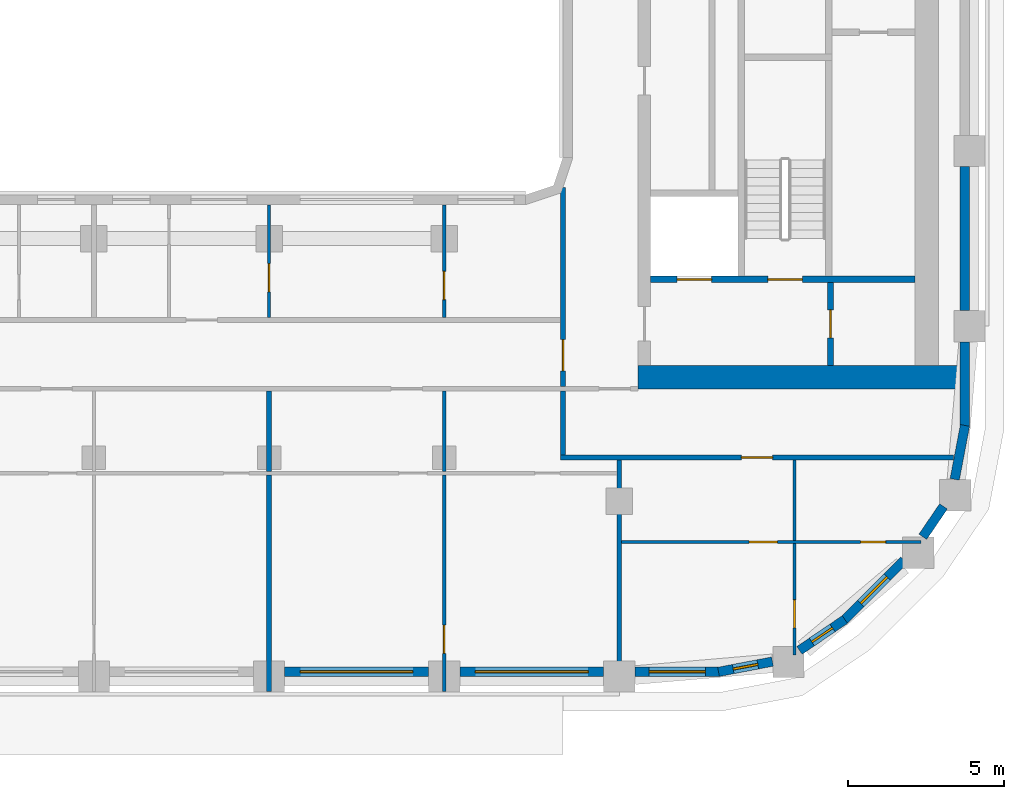
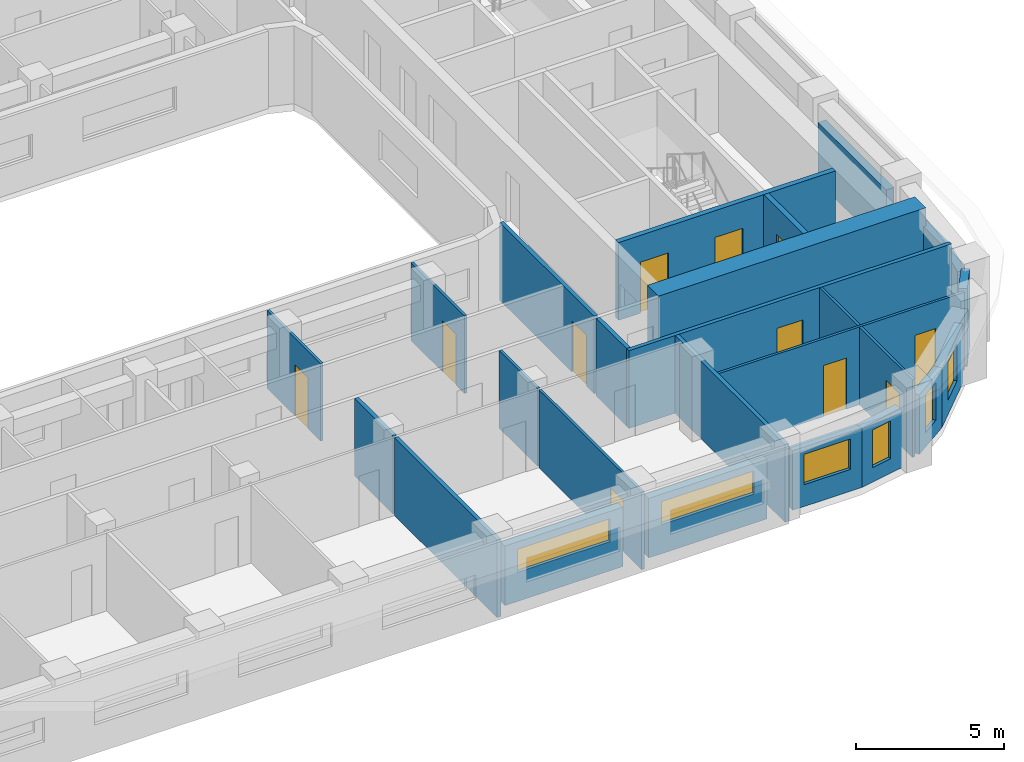
# One storey, part 5 of 22: 26 walls, 11 doors, 6 windows, 17 openings.
"""IFC4 building model written with IfcOpenShell, lengths in metres."""

from ifc_helpers import new_model, si_unit, direction, frame, frame_2d, origin, place, context, subcontext, project, spatial, rectangle, extrude, material, layer, layer_set, type_object, element, fill, save


model = new_model("IFC4")

# Units and contexts
model_context = context("Model", 3, precision=1e-05, world=origin(), true_north=direction((0.0, 1.0)))
body_context = subcontext(model_context, "Body", "Model", "MODEL_VIEW")
ifc_project = project(units=[si_unit("LENGTHUNIT", "METRE"), si_unit("AREAUNIT", "SQUARE_METRE"), si_unit("VOLUMEUNIT", "CUBIC_METRE"), si_unit("PLANEANGLEUNIT", "RADIAN"), si_unit("MASSUNIT", "GRAM", prefix="KILO")], contexts=[model_context])

# Site, building, storey
site_placement = place(None, origin())
site = spatial("IfcSite", under=ifc_project, at=site_placement, CompositionType="ELEMENT")
building_placement = place(site_placement, origin())
building = spatial("IfcBuilding", under=site, at=building_placement, Name="Kiln Ring Residences", CompositionType="ELEMENT")
storey_placement = place(building_placement, frame((0.0, 0.0, 167.60009765625)))
storey = spatial("IfcBuildingStorey", under=building, at=storey_placement, Name="L43", CompositionType="ELEMENT", Elevation=167.60009765625)

# Wall, opening, door
ifc_material_1 = material(Name="Gypsum board on steel studs", Category="steel")
ifc_layer_1 = layer(ifc_material_1, 0.199951171875)
ifc_layer_set_1 = layer_set([ifc_layer_1], Name="CORE-PARTITION-200")
wall_type_1 = type_object("IfcWallType", Name="CORE-PARTITION-200", PredefinedType="PARTITIONING", material=ifc_layer_set_1)
wall_1_placement = place(storey_placement, frame((23.550048828125, -12.449951171875, 0.0), z_axis=(0.0, 0.0, 1.0), x_axis=(0.0, 1.0, 0.0)))
wall_1 = element("IfcWall", 1, at=wall_1_placement, inside=storey, type_object=wall_type_1, Name="Core partition east L43 5", PredefinedType="PARTITIONING", context=body_context, shape_type="SweptSolid", body=[
    extrude(rectangle(XDim=2.64990234375, YDim=0.199951171875, at=frame_2d((1.324951171875, 0.0))), origin(), (0.0, 0.0, 1.0), 3.199951171875),
])
opening_1_placement = place(wall_1_placement, frame((0.875, 0.0, 0.0)))
opening_1 = element("IfcOpeningElement", 2, at=opening_1_placement, cuts=wall_1, Name="Opening L43-CE10", PredefinedType="OPENING", context=body_context, shape_type="SweptSolid", body=[
    extrude(rectangle(XDim=0.89990234375, YDim=2.10009765625, at=frame_2d((0.449951171875, 1.050048828125))), frame((0.0, 0.10986328125, 0.0), z_axis=(0.0, -1.0, 0.0), x_axis=(1.0, 0.0, 0.0)), (0.0, 0.0, 1.0), 0.219970703125),
])
ifc_material_2 = material(Name="Steel door leaf", Category="steel")
door_type_1 = type_object("IfcDoorType", Name="CORE-DOOR-ROOM", OperationType="SINGLE_SWING_LEFT", PredefinedType="DOOR", material=ifc_material_2)
door_1_placement = place(opening_1_placement, origin())
door_1 = element("IfcDoor", 3, at=door_1_placement, inside=storey, type_object=door_type_1, Name="Store L43-CE10", OperationType="SINGLE_SWING_LEFT", OverallHeight=2.10009765625, OverallWidth=0.89990234375, PredefinedType="DOOR", context=body_context, shape_type="SweptSolid", body=[
    extrude(rectangle(XDim=0.89990234375, YDim=2.10009765625, at=frame_2d((0.449951171875, 1.050048828125))), frame((0.0, 0.02490234375, 0.0), z_axis=(0.0, -1.0, 0.0), x_axis=(1.0, 0.0, 0.0)), (0.0, 0.0, 1.0), 0.050048828125),
])
fill(opening_1, door_1)

# Wall, openings, doors
ifc_material_3 = material(Name="Concrete C40/50", Category="concrete")
ifc_layer_2 = layer(ifc_material_3, 0.199951171875)
ifc_layer_set_2 = layer_set([ifc_layer_2], Name="CORE-WALL-RC200")
wall_type_2 = type_object("IfcWallType", Name="CORE-WALL-RC200", PredefinedType="SHEAR", material=ifc_layer_set_2)
wall_2_placement = place(storey_placement, frame((17.800048828125, -9.699951171875, 0.0), z_axis=(0.0, 0.0, 1.0), x_axis=(1.0, 0.0, 0.0)))
wall_2 = element("IfcWall", 4, at=wall_2_placement, inside=storey, type_object=wall_type_2, Name="Core wall east L43 8", PredefinedType="SHEAR", context=body_context, shape_type="SweptSolid", body=[
    extrude(rectangle(XDim=8.449951171875, YDim=0.199951171875, at=frame_2d((4.22509765625, 0.0))), origin(), (0.0, 0.0, 1.0), 3.199951171875),
])
opening_2_placement = place(wall_2_placement, frame((0.85009765625, 0.0, 0.0)))
opening_2 = element("IfcOpeningElement", 5, at=opening_2_placement, cuts=wall_2, Name="Opening L43-CE01", PredefinedType="OPENING", context=body_context, shape_type="SweptSolid", body=[
    extrude(rectangle(XDim=1.10009765625, YDim=2.10009765625, at=frame_2d((0.550048828125, 1.050048828125))), frame((0.0, 0.10986328125, 0.0), z_axis=(0.0, -1.0, 0.0), x_axis=(1.0, 0.0, 0.0)), (0.0, 0.0, 1.0), 0.219970703125),
])
opening_3_placement = place(wall_2_placement, frame((3.75, 0.0, 0.0)))
opening_3 = element("IfcOpeningElement", 6, at=opening_3_placement, cuts=wall_2, Name="Opening L43-CE12", PredefinedType="OPENING", context=body_context, shape_type="SweptSolid", body=[
    extrude(rectangle(XDim=1.10009765625, YDim=2.10009765625, at=frame_2d((0.550048828125, 1.050048828125))), frame((0.0, 0.10986328125, 0.0), z_axis=(0.0, -1.0, 0.0), x_axis=(1.0, 0.0, 0.0)), (0.0, 0.0, 1.0), 0.219970703125),
])
ifc_material_4 = material(Name="Steel door leaf", Category="steel")
door_type_2 = type_object("IfcDoorType", Name="CORE-DOOR-LD", OperationType="DOUBLE_DOOR_SLIDING", PredefinedType="DOOR", material=ifc_material_4)
door_2_placement = place(opening_2_placement, origin())
door_2 = element("IfcDoor", 7, at=door_2_placement, inside=storey, type_object=door_type_2, Name="LD E-SV L43-CE01", OperationType="DOUBLE_DOOR_SLIDING", OverallHeight=2.10009765625, OverallWidth=1.10009765625, PredefinedType="DOOR", context=body_context, shape_type="SweptSolid", body=[
    extrude(rectangle(XDim=1.10009765625, YDim=2.10009765625, at=frame_2d((0.550048828125, 1.050048828125))), frame((0.0, 0.02490234375, 0.0), z_axis=(0.0, -1.0, 0.0), x_axis=(1.0, 0.0, 0.0)), (0.0, 0.0, 1.0), 0.050048828125),
])
fill(opening_2, door_2)
ifc_material_5 = material(Name="Steel door leaf", Category="steel")
door_type_3 = type_object("IfcDoorType", Name="CORE-DOOR-STAIR", OperationType="SINGLE_SWING_LEFT", PredefinedType="DOOR", material=ifc_material_5)
door_3_placement = place(opening_3_placement, origin())
door_3 = element("IfcDoor", 8, at=door_3_placement, inside=storey, type_object=door_type_3, Name="Stair E-STS L43-CE12", OperationType="SINGLE_SWING_RIGHT", OverallHeight=2.10009765625, OverallWidth=1.10009765625, PredefinedType="DOOR", context=body_context, shape_type="SweptSolid", body=[
    extrude(rectangle(XDim=1.10009765625, YDim=2.10009765625, at=frame_2d((0.550048828125, 1.050048828125))), frame((0.0, 0.02490234375, 0.0), z_axis=(0.0, -1.0, 0.0), x_axis=(1.0, 0.0, 0.0)), (0.0, 0.0, 1.0), 0.050048828125),
])
fill(opening_3, door_3)

# Wall
ifc_material_6 = material(Name="Concrete C60/75", Category="concrete")
ifc_layer_3 = layer(ifc_material_6, 0.75)
ifc_layer_set_3 = layer_set([ifc_layer_3], Name="CORE-WALL-RC750")
wall_type_3 = type_object("IfcWallType", Name="CORE-WALL-RC750", PredefinedType="SHEAR", material=ifc_layer_set_3)
wall_3_placement = place(storey_placement, frame((17.39990234375, -12.824951171875, 0.0), z_axis=(0.0, 0.0, 1.0), x_axis=(1.0, 0.0, 0.0)))
element("IfcWall", 9, at=wall_3_placement, inside=storey, type_object=wall_type_3, Name="Core wall east L43 5", PredefinedType="SHEAR", context=body_context, shape_type="SweptSolid", body=[
    extrude(rectangle(XDim=10.400146484375, YDim=0.75, at=frame_2d((5.2001953125, 0.0))), origin(), (0.0, 0.0, 1.0), 3.199951171875),
])

# Wall, opening, window
ifc_material_7 = material(Name="Brick masonry, dark clay brick", Category="masonry")
ifc_layer_4 = layer(ifc_material_7, 0.300048828125)
ifc_layer_set_4 = layer_set([ifc_layer_4], Name="EW-300 BRICK WALL")
wall_type_4 = type_object("IfcWallType", Name="EW-300 BRICK WALL", PredefinedType="SOLIDWALL", material=ifc_layer_set_4)
wall_4_placement = place(storey_placement, frame((6.10009765625, -22.25, 0.0), z_axis=(0.0, 0.0, 1.0), x_axis=(1.0, 0.0, 0.0)))
wall_4 = element("IfcWall", 10, at=wall_4_placement, inside=storey, type_object=wall_type_4, Name="Facade wall L43 9", PredefinedType="SOLIDWALL", context=body_context, shape_type="SweptSolid", body=[
    extrude(rectangle(XDim=4.599853515625, YDim=0.300048828125, at=frame_2d((2.2998046875, 0.0))), origin(), (0.0, 0.0, 1.0), 2.449951171875),
])
opening_4_placement = place(wall_4_placement, frame((0.5, 0.0, 1.199951171875)))
opening_4 = element("IfcOpeningElement", 11, at=opening_4_placement, cuts=wall_4, Name="Opening W4", PredefinedType="OPENING", context=body_context, shape_type="SweptSolid", body=[
    extrude(rectangle(XDim=3.60009765625, YDim=0.949951171875, at=frame_2d((1.800048828125, 0.47509765625))), frame((0.0, 0.159912109375, 0.0), z_axis=(0.0, -1.0, 0.0), x_axis=(1.0, 0.0, 0.0)), (0.0, 0.0, 1.0), 0.320068359375),
])
ifc_material_8 = material(Name="Aluminium frame with double glazing", Category="aluminium")
window_type_1 = type_object("IfcWindowType", Name="WINDOW 3600 x 950", PartitioningType="SINGLE_PANEL", PredefinedType="WINDOW", material=ifc_material_8)
window_1_placement = place(opening_4_placement, origin())
window_1 = element("IfcWindow", 12, at=window_1_placement, inside=storey, type_object=window_type_1, Name="Window L43 8", OverallHeight=0.949951171875, OverallWidth=3.60009765625, PartitioningType="SINGLE_PANEL", PredefinedType="WINDOW", context=body_context, shape_type="SweptSolid", body=[
    extrude(rectangle(XDim=3.60009765625, YDim=0.949951171875, at=frame_2d((1.800048828125, 0.47509765625))), frame((0.0, 0.030029296875, 0.0), z_axis=(0.0, -1.0, 0.0), x_axis=(1.0, 0.0, 0.0)), (0.0, 0.0, 1.0), 0.06005859375),
])
fill(opening_4, window_1)

wall_5_placement = place(storey_placement, frame((11.699951171875, -22.25, 0.0), z_axis=(0.0, 0.0, 1.0), x_axis=(1.0, 0.0, 0.0)))
wall_5 = element("IfcWall", 13, at=wall_5_placement, inside=storey, type_object=wall_type_4, Name="Facade wall L43 10", PredefinedType="SOLIDWALL", context=body_context, shape_type="SweptSolid", body=[
    extrude(rectangle(XDim=4.60009765625, YDim=0.300048828125, at=frame_2d((2.300048828125, 0.0))), origin(), (0.0, 0.0, 1.0), 2.449951171875),
])
opening_5_placement = place(wall_5_placement, frame((0.5, 0.0, 1.199951171875)))
opening_5 = element("IfcOpeningElement", 14, at=opening_5_placement, cuts=wall_5, Name="Opening W4", PredefinedType="OPENING", context=body_context, shape_type="SweptSolid", body=[
    extrude(rectangle(XDim=3.60009765625, YDim=0.949951171875, at=frame_2d((1.800048828125, 0.47509765625))), frame((0.0, 0.159912109375, 0.0), z_axis=(0.0, -1.0, 0.0), x_axis=(1.0, 0.0, 0.0)), (0.0, 0.0, 1.0), 0.320068359375),
])
window_2_placement = place(opening_5_placement, origin())
window_2 = element("IfcWindow", 15, at=window_2_placement, inside=storey, type_object=window_type_1, Name="Window L43 9", OverallHeight=0.949951171875, OverallWidth=3.60009765625, PartitioningType="SINGLE_PANEL", PredefinedType="WINDOW", context=body_context, shape_type="SweptSolid", body=[
    extrude(rectangle(XDim=3.60009765625, YDim=0.949951171875, at=frame_2d((1.800048828125, 0.47509765625))), frame((0.0, 0.030029296875, 0.0), z_axis=(0.0, -1.0, 0.0), x_axis=(1.0, 0.0, 0.0)), (0.0, 0.0, 1.0), 0.06005859375),
])
fill(opening_5, window_2)

wall_6_placement = place(storey_placement, frame((17.300048828125, -22.25, 0.0), z_axis=(0.0, 0.0, 1.0), x_axis=(1.0, 0.0, 0.0)))
wall_6 = element("IfcWall", 16, at=wall_6_placement, inside=storey, type_object=wall_type_4, Name="Facade wall L43 11", PredefinedType="SOLIDWALL", context=body_context, shape_type="SweptSolid", body=[
    extrude(rectangle(XDim=2.699951171875, YDim=0.300048828125, at=frame_2d((1.35009765625, 0.0))), origin(), (0.0, 0.0, 1.0), 2.449951171875),
])
opening_6_placement = place(wall_6_placement, frame((0.449951171875, 0.0, 0.89990234375)))
opening_6 = element("IfcOpeningElement", 17, at=opening_6_placement, cuts=wall_6, Name="Opening W2", PredefinedType="OPENING", context=body_context, shape_type="SweptSolid", body=[
    extrude(rectangle(XDim=1.800048828125, YDim=1.25, at=frame_2d((0.89990234375, 0.625))), frame((0.0, 0.159912109375, 0.0), z_axis=(0.0, -1.0, 0.0), x_axis=(1.0, 0.0, 0.0)), (0.0, 0.0, 1.0), 0.320068359375),
])
ifc_material_9 = material(Name="Aluminium frame with double glazing", Category="aluminium")
window_type_2 = type_object("IfcWindowType", Name="WINDOW 1800 x 1250", PartitioningType="SINGLE_PANEL", PredefinedType="WINDOW", material=ifc_material_9)
window_3_placement = place(opening_6_placement, origin())
window_3 = element("IfcWindow", 18, at=window_3_placement, inside=storey, type_object=window_type_2, Name="Window L43 10", OverallHeight=1.25, OverallWidth=1.800048828125, PartitioningType="SINGLE_PANEL", PredefinedType="WINDOW", context=body_context, shape_type="SweptSolid", body=[
    extrude(rectangle(XDim=1.800048828125, YDim=1.25, at=frame_2d((0.89990234375, 0.625))), frame((0.0, 0.030029296875, 0.0), z_axis=(0.0, -1.0, 0.0), x_axis=(1.0, 0.0, 0.0)), (0.0, 0.0, 1.0), 0.06005859375),
])
fill(opening_6, window_3)

wall_7_placement = place(storey_placement, frame((19.971923828125, -22.252685546875, 0.0), z_axis=(0.0, 0.0, 1.0), x_axis=(0.982284988433, 0.187393173565, 0.0)))
wall_7 = element("IfcWall", 19, at=wall_7_placement, inside=storey, type_object=wall_type_4, Name="Facade wall L43 12", PredefinedType="SOLIDWALL", context=body_context, shape_type="SweptSolid", body=[
    extrude(rectangle(XDim=1.756103515625, YDim=0.300048828125, at=frame_2d((0.8779296875, 0.0))), origin(), (0.0, 0.0, 1.0), 2.449951171875),
])
opening_7_placement = place(wall_7_placement, frame((0.47802734375, 0.0, 0.60009765625)))
opening_7 = element("IfcOpeningElement", 20, at=opening_7_placement, cuts=wall_7, Name="Opening W5", PredefinedType="OPENING", context=body_context, shape_type="SweptSolid", body=[
    extrude(rectangle(XDim=0.800048828125, YDim=1.550048828125, at=frame_2d((0.39990234375, 0.77490234375))), frame((0.0, 0.159912109375, 0.0), z_axis=(0.0, -1.0, 0.0), x_axis=(1.0, 0.0, 0.0)), (0.0, 0.0, 1.0), 0.320068359375),
])
ifc_material_10 = material(Name="Aluminium frame with double glazing", Category="aluminium")
window_type_3 = type_object("IfcWindowType", Name="WINDOW 800 x 1550", PartitioningType="SINGLE_PANEL", PredefinedType="WINDOW", material=ifc_material_10)
window_4_placement = place(opening_7_placement, origin())
window_4 = element("IfcWindow", 21, at=window_4_placement, inside=storey, type_object=window_type_3, Name="Window L43 11", OverallHeight=1.550048828125, OverallWidth=0.800048828125, PartitioningType="SINGLE_PANEL", PredefinedType="WINDOW", context=body_context, shape_type="SweptSolid", body=[
    extrude(rectangle(XDim=0.800048828125, YDim=1.550048828125, at=frame_2d((0.39990234375, 0.77490234375))), frame((0.0, 0.030029296875, 0.0), z_axis=(0.0, -1.0, 0.0), x_axis=(1.0, 0.0, 0.0)), (0.0, 0.0, 1.0), 0.06005859375),
])
fill(opening_7, window_4)

wall_8_placement = place(storey_placement, frame((22.560302734375, -21.56591796875, 0.0), z_axis=(0.0, 0.0, 1.0), x_axis=(0.82707645233, 0.562089443061, 0.0)))
wall_8 = element("IfcWall", 22, at=wall_8_placement, inside=storey, type_object=wall_type_4, Name="Facade wall L43 13", PredefinedType="SOLIDWALL", context=body_context, shape_type="SweptSolid", body=[
    extrude(rectangle(XDim=1.756103515625, YDim=0.300048828125, at=frame_2d((0.8779296875, 0.0))), origin(), (0.0, 0.0, 1.0), 2.449951171875),
])
opening_8_placement = place(wall_8_placement, frame((0.47802734375, 0.0, 0.60009765625)))
opening_8 = element("IfcOpeningElement", 23, at=opening_8_placement, cuts=wall_8, Name="Opening W5", PredefinedType="OPENING", context=body_context, shape_type="SweptSolid", body=[
    extrude(rectangle(XDim=0.800048828125, YDim=1.550048828125, at=frame_2d((0.39990234375, 0.77490234375))), frame((0.0, 0.159912109375, 0.0), z_axis=(0.0, -1.0, 0.0), x_axis=(1.0, 0.0, 0.0)), (0.0, 0.0, 1.0), 0.320068359375),
])
window_5_placement = place(opening_8_placement, origin())
window_5 = element("IfcWindow", 24, at=window_5_placement, inside=storey, type_object=window_type_3, Name="Window L43 12", OverallHeight=1.550048828125, OverallWidth=0.800048828125, PartitioningType="SINGLE_PANEL", PredefinedType="WINDOW", context=body_context, shape_type="SweptSolid", body=[
    extrude(rectangle(XDim=0.800048828125, YDim=1.550048828125, at=frame_2d((0.39990234375, 0.77490234375))), frame((0.0, 0.030029296875, 0.0), z_axis=(0.0, -1.0, 0.0), x_axis=(1.0, 0.0, 0.0)), (0.0, 0.0, 1.0), 0.06005859375),
])
fill(opening_8, window_5)

wall_9_placement = place(storey_placement, frame((23.990966796875, -20.596923828125, 0.0), z_axis=(0.0, 0.0, 1.0), x_axis=(0.707106781187, 0.707106781187, 0.0)))
wall_9 = element("IfcWall", 25, at=wall_9_placement, inside=storey, type_object=wall_type_4, Name="Facade wall L43 14", PredefinedType="SOLIDWALL", context=body_context, shape_type="SweptSolid", body=[
    extrude(rectangle(XDim=2.699951171875, YDim=0.300048828125, at=frame_2d((1.35009765625, 0.0))), origin(), (0.0, 0.0, 1.0), 2.449951171875),
])
opening_9_placement = place(wall_9_placement, frame((0.75, 0.0, 0.60009765625)))
opening_9 = element("IfcOpeningElement", 26, at=opening_9_placement, cuts=wall_9, Name="Opening W1", PredefinedType="OPENING", context=body_context, shape_type="SweptSolid", body=[
    extrude(rectangle(XDim=1.199951171875, YDim=1.550048828125, at=frame_2d((0.60009765625, 0.77490234375))), frame((0.0, 0.159912109375, 0.0), z_axis=(0.0, -1.0, 0.0), x_axis=(1.0, 0.0, 0.0)), (0.0, 0.0, 1.0), 0.320068359375),
])
ifc_material_11 = material(Name="Aluminium frame with double glazing", Category="aluminium")
window_type_4 = type_object("IfcWindowType", Name="WINDOW 1200 x 1550", PartitioningType="SINGLE_PANEL", PredefinedType="WINDOW", material=ifc_material_11)
window_6_placement = place(opening_9_placement, origin())
window_6 = element("IfcWindow", 27, at=window_6_placement, inside=storey, type_object=window_type_4, Name="Window L43 13", OverallHeight=1.550048828125, OverallWidth=1.199951171875, PartitioningType="SINGLE_PANEL", PredefinedType="WINDOW", context=body_context, shape_type="SweptSolid", body=[
    extrude(rectangle(XDim=1.199951171875, YDim=1.550048828125, at=frame_2d((0.60009765625, 0.77490234375))), frame((0.0, 0.030029296875, 0.0), z_axis=(0.0, -1.0, 0.0), x_axis=(1.0, 0.0, 0.0)), (0.0, 0.0, 1.0), 0.06005859375),
])
fill(opening_9, window_6)

# Walls
wall_10_placement = place(storey_placement, frame((26.50439453125, -17.933837890625, 0.0), z_axis=(0.0, 0.0, 1.0), x_axis=(0.562145470373, 0.827038372833, 0.0)))
element("IfcWall", 28, at=wall_10_placement, inside=storey, type_object=wall_type_4, Name="Facade wall L43 15", PredefinedType="SOLIDWALL", context=body_context, shape_type="SweptSolid", body=[
    extrude(rectangle(XDim=1.177001953125, YDim=0.300048828125, at=frame_2d((0.58837890625, 0.0))), origin(), (0.0, 0.0, 1.0), 3.199951171875),
])
wall_11_placement = place(storey_placement, frame((27.523681640625, -16.096923828125, 0.0), z_axis=(0.0, 0.0, 1.0), x_axis=(0.187259034321, 0.982310569049, 0.0)))
element("IfcWall", 29, at=wall_11_placement, inside=storey, type_object=wall_type_4, Name="Facade wall L43 16", PredefinedType="SOLIDWALL", context=body_context, shape_type="SweptSolid", body=[
    extrude(rectangle(XDim=1.756103515625, YDim=0.300048828125, at=frame_2d((0.8779296875, 0.0))), origin(), (0.0, 0.0, 1.0), 2.449951171875),
])
wall_12_placement = place(storey_placement, frame((27.85009765625, -14.39990234375, 0.0), z_axis=(0.0, 0.0, 1.0), x_axis=(0.0, 1.0, 0.0)))
element("IfcWall", 30, at=wall_12_placement, inside=storey, type_object=wall_type_4, Name="Facade wall L43 17", PredefinedType="SOLIDWALL", context=body_context, shape_type="SweptSolid", body=[
    extrude(rectangle(XDim=2.699951171875, YDim=0.300048828125, at=frame_2d((1.35009765625, 0.0))), origin(), (0.0, 0.0, 1.0), 2.449951171875),
])
wall_13_placement = place(storey_placement, frame((27.85009765625, -10.699951171875, 0.0), z_axis=(0.0, 0.0, 1.0), x_axis=(0.0, 1.0, 0.0)))
element("IfcWall", 31, at=wall_13_placement, inside=storey, type_object=wall_type_4, Name="Facade wall L43 18", PredefinedType="SOLIDWALL", context=body_context, shape_type="SweptSolid", body=[
    extrude(rectangle(XDim=4.599853515625, YDim=0.300048828125, at=frame_2d((2.2998046875, 0.0))), origin(), (0.0, 0.0, 1.0), 2.449951171875),
])

# Wall, openings, doors
ifc_material_12 = material(Name="Gypsum board on steel studs", Category="steel")
ifc_layer_5 = layer(ifc_material_12, 0.10009765625)
ifc_layer_set_5 = layer_set([ifc_layer_5], Name="PARTITION-100")
wall_type_5 = type_object("IfcWallType", Name="PARTITION-100", PredefinedType="PARTITIONING", material=ifc_layer_set_5)
wall_14_placement = place(storey_placement, frame((16.875, -18.10009765625, 0.0), z_axis=(0.0, 0.0, 1.0), x_axis=(1.0, 0.0, 0.0)))
wall_14 = element("IfcWall", 32, at=wall_14_placement, inside=storey, type_object=wall_type_5, Name="Partition 000", PredefinedType="PARTITIONING", context=body_context, shape_type="SweptSolid", body=[
    extrude(rectangle(XDim=9.56494140625, YDim=0.10009765625, at=frame_2d((4.782470703125, 0.0))), origin(), (0.0, 0.0, 1.0), 3.199951171875),
])
opening_10_placement = place(wall_14_placement, frame((7.638916015625, 0.0, 0.0)))
opening_10 = element("IfcOpeningElement", 33, at=opening_10_placement, cuts=wall_14, Name="Opening L43-D065", PredefinedType="OPENING", context=body_context, shape_type="SweptSolid", body=[
    extrude(rectangle(XDim=0.800048828125, YDim=2.10009765625, at=frame_2d((0.39990234375, 1.050048828125))), frame((0.0, 0.06005859375, 0.0), z_axis=(0.0, -1.0, 0.0), x_axis=(1.0, 0.0, 0.0)), (0.0, 0.0, 1.0), 0.1201171875),
])
opening_11_placement = place(wall_14_placement, frame((4.074951171875, 0.0, 0.0)))
opening_11 = element("IfcOpeningElement", 34, at=opening_11_placement, cuts=wall_14, Name="Opening L43-D066", PredefinedType="OPENING", context=body_context, shape_type="SweptSolid", body=[
    extrude(rectangle(XDim=0.89990234375, YDim=2.10009765625, at=frame_2d((0.449951171875, 1.050048828125))), frame((0.0, 0.06005859375, 0.0), z_axis=(0.0, -1.0, 0.0), x_axis=(1.0, 0.0, 0.0)), (0.0, 0.0, 1.0), 0.1201171875),
])
ifc_material_13 = material(Name="Timber door leaf", Category="wood")
door_type_4 = type_object("IfcDoorType", Name="FLAT-DOOR-800-PL", OperationType="SINGLE_SWING_LEFT", PredefinedType="DOOR", material=ifc_material_13)
door_4_placement = place(opening_10_placement, origin())
door_4 = element("IfcDoor", 35, at=door_4_placement, inside=storey, type_object=door_type_4, Name="Door L43-D065", OperationType="SINGLE_SWING_LEFT", OverallHeight=2.10009765625, OverallWidth=0.800048828125, PredefinedType="DOOR", context=body_context, shape_type="SweptSolid", body=[
    extrude(rectangle(XDim=0.800048828125, YDim=2.10009765625, at=frame_2d((0.39990234375, 1.050048828125))), frame((0.0, 0.02490234375, 0.0), z_axis=(0.0, -1.0, 0.0), x_axis=(1.0, 0.0, 0.0)), (0.0, 0.0, 1.0), 0.050048828125),
])
fill(opening_10, door_4)
ifc_material_14 = material(Name="Timber door leaf", Category="wood")
door_type_5 = type_object("IfcDoorType", Name="FLAT-DOOR-900-PL", OperationType="SINGLE_SWING_LEFT", PredefinedType="DOOR", material=ifc_material_14)
door_5_placement = place(opening_11_placement, origin())
door_5 = element("IfcDoor", 36, at=door_5_placement, inside=storey, type_object=door_type_5, Name="Door L43-D066", OperationType="SINGLE_SWING_RIGHT", OverallHeight=2.10009765625, OverallWidth=0.89990234375, PredefinedType="DOOR", context=body_context, shape_type="SweptSolid", body=[
    extrude(rectangle(XDim=0.89990234375, YDim=2.10009765625, at=frame_2d((0.449951171875, 1.050048828125))), frame((0.0, 0.02490234375, 0.0), z_axis=(0.0, -1.0, 0.0), x_axis=(1.0, 0.0, 0.0)), (0.0, 0.0, 1.0), 0.050048828125),
])
fill(opening_11, door_5)

# Wall, opening, door
wall_15_placement = place(storey_placement, frame((5.60009765625, -10.925048828125, 0.0), z_axis=(0.0, 0.0, 1.0), x_axis=(0.0, 1.0, 0.0)))
wall_15 = element("IfcWall", 37, at=wall_15_placement, inside=storey, type_object=wall_type_5, Name="Partition 049", PredefinedType="PARTITIONING", context=body_context, shape_type="SweptSolid", body=[
    extrude(rectangle(XDim=3.60498046875, YDim=0.10009765625, at=frame_2d((1.802490234375, 0.0))), origin(), (0.0, 0.0, 1.0), 3.199951171875),
])
opening_12_placement = place(wall_15_placement, frame((0.825927734375, 0.0, 0.0)))
opening_12 = element("IfcOpeningElement", 38, at=opening_12_placement, cuts=wall_15, Name="Opening L43-D050", PredefinedType="OPENING", context=body_context, shape_type="SweptSolid", body=[
    extrude(rectangle(XDim=0.89990234375, YDim=2.10009765625, at=frame_2d((0.449951171875, 1.050048828125))), frame((0.0, 0.06005859375, 0.0), z_axis=(0.0, -1.0, 0.0), x_axis=(1.0, 0.0, 0.0)), (0.0, 0.0, 1.0), 0.1201171875),
])
door_6_placement = place(opening_12_placement, origin())
door_6 = element("IfcDoor", 39, at=door_6_placement, inside=storey, type_object=door_type_5, Name="Door L43-D050", OperationType="SINGLE_SWING_LEFT", OverallHeight=2.10009765625, OverallWidth=0.89990234375, PredefinedType="DOOR", context=body_context, shape_type="SweptSolid", body=[
    extrude(rectangle(XDim=0.89990234375, YDim=2.10009765625, at=frame_2d((0.449951171875, 1.050048828125))), frame((0.0, 0.02490234375, 0.0), z_axis=(0.0, -1.0, 0.0), x_axis=(1.0, 0.0, 0.0)), (0.0, 0.0, 1.0), 0.050048828125),
])
fill(opening_12, door_6)

wall_16_placement = place(storey_placement, frame((11.199951171875, -22.8798828125, 0.0), z_axis=(0.0, 0.0, 1.0), x_axis=(0.0, 1.0, 0.0)))
wall_16 = element("IfcWall", 40, at=wall_16_placement, inside=storey, type_object=wall_type_5, Name="Partition 057", PredefinedType="PARTITIONING", context=body_context, shape_type="SweptSolid", body=[
    extrude(rectangle(XDim=6.929931640625, YDim=0.10009765625, at=frame_2d((3.46484375, 0.0))), origin(), (0.0, 0.0, 1.0), 3.199951171875),
])
opening_13_placement = place(wall_16_placement, frame((1.219970703125, 0.0, 0.0)))
opening_13 = element("IfcOpeningElement", 41, at=opening_13_placement, cuts=wall_16, Name="Opening L43-D063", PredefinedType="OPENING", context=body_context, shape_type="SweptSolid", body=[
    extrude(rectangle(XDim=0.89990234375, YDim=2.10009765625, at=frame_2d((0.449951171875, 1.050048828125))), frame((0.0, 0.06005859375, 0.0), z_axis=(0.0, -1.0, 0.0), x_axis=(1.0, 0.0, 0.0)), (0.0, 0.0, 1.0), 0.1201171875),
])
door_7_placement = place(opening_13_placement, origin())
door_7 = element("IfcDoor", 42, at=door_7_placement, inside=storey, type_object=door_type_5, Name="Door L43-D063", OperationType="SINGLE_SWING_LEFT", OverallHeight=2.10009765625, OverallWidth=0.89990234375, PredefinedType="DOOR", context=body_context, shape_type="SweptSolid", body=[
    extrude(rectangle(XDim=0.89990234375, YDim=2.10009765625, at=frame_2d((0.449951171875, 1.050048828125))), frame((0.0, 0.02490234375, 0.0), z_axis=(0.0, -1.0, 0.0), x_axis=(1.0, 0.0, 0.0)), (0.0, 0.0, 1.0), 0.050048828125),
])
fill(opening_13, door_7)

# Wall
wall_17_placement = place(storey_placement, frame((11.199951171875, -15.85009765625, 0.0), z_axis=(0.0, 0.0, 1.0), x_axis=(0.0, 1.0, 0.0)))
element("IfcWall", 43, at=wall_17_placement, inside=storey, type_object=wall_type_5, Name="Partition 058", PredefinedType="PARTITIONING", context=body_context, shape_type="SweptSolid", body=[
    extrude(rectangle(XDim=2.5751953125, YDim=0.10009765625, at=frame_2d((1.28759765625, 0.0))), origin(), (0.0, 0.0, 1.0), 3.199951171875),
])

# Wall, opening, door
wall_18_placement = place(storey_placement, frame((11.199951171875, -10.925048828125, 0.0), z_axis=(0.0, 0.0, 1.0), x_axis=(0.0, 1.0, 0.0)))
wall_18 = element("IfcWall", 44, at=wall_18_placement, inside=storey, type_object=wall_type_5, Name="Partition 059", PredefinedType="PARTITIONING", context=body_context, shape_type="SweptSolid", body=[
    extrude(rectangle(XDim=3.60498046875, YDim=0.10009765625, at=frame_2d((1.802490234375, 0.0))), origin(), (0.0, 0.0, 1.0), 3.199951171875),
])
opening_14_placement = place(wall_18_placement, frame((0.575927734375, 0.0, 0.0)))
opening_14 = element("IfcOpeningElement", 45, at=opening_14_placement, cuts=wall_18, Name="Opening L43-D051", PredefinedType="OPENING", context=body_context, shape_type="SweptSolid", body=[
    extrude(rectangle(XDim=0.89990234375, YDim=2.10009765625, at=frame_2d((0.449951171875, 1.050048828125))), frame((0.0, 0.06005859375, 0.0), z_axis=(0.0, -1.0, 0.0), x_axis=(1.0, 0.0, 0.0)), (0.0, 0.0, 1.0), 0.1201171875),
])
door_8_placement = place(opening_14_placement, origin())
door_8 = element("IfcDoor", 46, at=door_8_placement, inside=storey, type_object=door_type_5, Name="Door L43-D051", OperationType="SINGLE_SWING_LEFT", OverallHeight=2.10009765625, OverallWidth=0.89990234375, PredefinedType="DOOR", context=body_context, shape_type="SweptSolid", body=[
    extrude(rectangle(XDim=0.89990234375, YDim=2.10009765625, at=frame_2d((0.449951171875, 1.050048828125))), frame((0.0, 0.02490234375, 0.0), z_axis=(0.0, -1.0, 0.0), x_axis=(1.0, 0.0, 0.0)), (0.0, 0.0, 1.0), 0.050048828125),
])
fill(opening_14, door_8)

wall_19_placement = place(storey_placement, frame((22.39990234375, -21.719970703125, 0.0), z_axis=(0.0, 0.0, 1.0), x_axis=(0.0, 1.0, 0.0)))
wall_19 = element("IfcWall", 47, at=wall_19_placement, inside=storey, type_object=wall_type_5, Name="Partition 071", PredefinedType="PARTITIONING", context=body_context, shape_type="SweptSolid", body=[
    extrude(rectangle(XDim=3.570068359375, YDim=0.10009765625, at=frame_2d((1.78515625, 0.0))), origin(), (0.0, 0.0, 1.0), 3.199951171875),
])
opening_15_placement = place(wall_19_placement, frame((0.8720703125, 0.0, 0.0)))
opening_15 = element("IfcOpeningElement", 48, at=opening_15_placement, cuts=wall_19, Name="Opening L43-D067", PredefinedType="OPENING", context=body_context, shape_type="SweptSolid", body=[
    extrude(rectangle(XDim=0.89990234375, YDim=2.10009765625, at=frame_2d((0.449951171875, 1.050048828125))), frame((0.0, 0.06005859375, 0.0), z_axis=(0.0, -1.0, 0.0), x_axis=(1.0, 0.0, 0.0)), (0.0, 0.0, 1.0), 0.1201171875),
])
door_9_placement = place(opening_15_placement, origin())
door_9 = element("IfcDoor", 49, at=door_9_placement, inside=storey, type_object=door_type_5, Name="Door L43-D067", OperationType="SINGLE_SWING_LEFT", OverallHeight=2.10009765625, OverallWidth=0.89990234375, PredefinedType="DOOR", context=body_context, shape_type="SweptSolid", body=[
    extrude(rectangle(XDim=0.89990234375, YDim=2.10009765625, at=frame_2d((0.449951171875, 1.050048828125))), frame((0.0, 0.02490234375, 0.0), z_axis=(0.0, -1.0, 0.0), x_axis=(1.0, 0.0, 0.0)), (0.0, 0.0, 1.0), 0.050048828125),
])
fill(opening_15, door_9)

# Wall
wall_20_placement = place(storey_placement, frame((22.39990234375, -18.050048828125, 0.0), z_axis=(0.0, 0.0, 1.0), x_axis=(0.0, 1.0, 0.0)))
element("IfcWall", 50, at=wall_20_placement, inside=storey, type_object=wall_type_5, Name="Partition 072", PredefinedType="PARTITIONING", context=body_context, shape_type="SweptSolid", body=[
    extrude(rectangle(XDim=2.574951171875, YDim=0.10009765625, at=frame_2d((1.28759765625, 0.0))), origin(), (0.0, 0.0, 1.0), 3.199951171875),
])

# Wall, opening, door
ifc_material_15 = material(Name="Brick masonry partition", Category="masonry")
ifc_layer_6 = layer(ifc_material_15, 0.14990234375)
ifc_layer_set_6 = layer_set([ifc_layer_6], Name="PARTITION-150-ei60")
wall_type_6 = type_object("IfcWallType", Name="PARTITION-150-ei60", PredefinedType="PARTITIONING", material=ifc_layer_set_6)
wall_21_placement = place(storey_placement, frame((14.925048828125, -15.39990234375, 0.0), z_axis=(0.0, 0.0, 1.0), x_axis=(1.0, 0.0, 0.0)))
wall_21 = element("IfcWall", 51, at=wall_21_placement, inside=storey, type_object=wall_type_6, Name="Partition 004", PredefinedType="PARTITIONING", context=body_context, shape_type="SweptSolid", body=[
    extrude(rectangle(XDim=12.558837890625, YDim=0.14990234375, at=frame_2d((6.279296875, 0.0))), origin(), (0.0, 0.0, 1.0), 3.199951171875),
])
opening_16_placement = place(wall_21_placement, frame((5.77490234375, 0.0, 0.0)))
opening_16 = element("IfcOpeningElement", 52, at=opening_16_placement, cuts=wall_21, Name="Opening L43-D064", PredefinedType="OPENING", context=body_context, shape_type="SweptSolid", body=[
    extrude(rectangle(XDim=1.0, YDim=2.10009765625, at=frame_2d((0.5, 1.050048828125))), frame((0.0, 0.0849609375, 0.0), z_axis=(0.0, -1.0, 0.0), x_axis=(1.0, 0.0, 0.0)), (0.0, 0.0, 1.0), 0.169921875),
])
ifc_material_16 = material(Name="Steel faced fire door leaf", Category="steel")
door_type_6 = type_object("IfcDoorType", Name="FLAT-DOOR-1000-FR", OperationType="SINGLE_SWING_LEFT", PredefinedType="DOOR", material=ifc_material_16)
door_10_placement = place(opening_16_placement, origin())
door_10 = element("IfcDoor", 53, at=door_10_placement, inside=storey, type_object=door_type_6, Name="Door L43-D064", OperationType="SINGLE_SWING_RIGHT", OverallHeight=2.10009765625, OverallWidth=1.0, PredefinedType="DOOR", context=body_context, shape_type="SweptSolid", body=[
    extrude(rectangle(XDim=1.0, YDim=2.10009765625, at=frame_2d((0.5, 1.050048828125))), frame((0.0, 0.02490234375, 0.0), z_axis=(0.0, -1.0, 0.0), x_axis=(1.0, 0.0, 0.0)), (0.0, 0.0, 1.0), 0.050048828125),
])
fill(opening_16, door_10)

# Walls
wall_22_placement = place(storey_placement, frame((5.60009765625, -22.8798828125, 0.0), z_axis=(0.0, 0.0, 1.0), x_axis=(0.0, 1.0, 0.0)))
element("IfcWall", 54, at=wall_22_placement, inside=storey, type_object=wall_type_6, Name="Partition 051", PredefinedType="PARTITIONING", context=body_context, shape_type="SweptSolid", body=[
    extrude(rectangle(XDim=6.929931640625, YDim=0.14990234375, at=frame_2d((3.46484375, 0.0))), origin(), (0.0, 0.0, 1.0), 3.199951171875),
])
wall_23_placement = place(storey_placement, frame((5.60009765625, -15.85009765625, 0.0), z_axis=(0.0, 0.0, 1.0), x_axis=(0.0, 1.0, 0.0)))
element("IfcWall", 55, at=wall_23_placement, inside=storey, type_object=wall_type_6, Name="Partition 052", PredefinedType="PARTITIONING", context=body_context, shape_type="SweptSolid", body=[
    extrude(rectangle(XDim=2.5751953125, YDim=0.14990234375, at=frame_2d((1.28759765625, 0.0))), origin(), (0.0, 0.0, 1.0), 3.199951171875),
])
wall_24_placement = place(storey_placement, frame((15.0, -15.324951171875, 0.0), z_axis=(0.0, 0.0, 1.0), x_axis=(0.0, 1.0, 0.0)))
element("IfcWall", 56, at=wall_24_placement, inside=storey, type_object=wall_type_6, Name="Partition 065", PredefinedType="PARTITIONING", context=body_context, shape_type="SweptSolid", body=[
    extrude(rectangle(XDim=2.050048828125, YDim=0.14990234375, at=frame_2d((1.02490234375, 0.0))), origin(), (0.0, 0.0, 1.0), 3.199951171875),
])

# Wall, opening, door
wall_25_placement = place(storey_placement, frame((15.0, -13.125, 0.0), z_axis=(0.0, 0.0, 1.0), x_axis=(0.0, 1.0, 0.0)))
wall_25 = element("IfcWall", 57, at=wall_25_placement, inside=storey, type_object=wall_type_6, Name="Partition 066", PredefinedType="PARTITIONING", context=body_context, shape_type="SweptSolid", body=[
    extrude(rectangle(XDim=6.356201171875, YDim=0.14990234375, at=frame_2d((3.17822265625, 0.0))), origin(), (0.0, 0.0, 1.0), 3.199951171875),
])
opening_17_placement = place(wall_25_placement, frame((0.49609375, 0.0, 0.0)))
opening_17 = element("IfcOpeningElement", 58, at=opening_17_placement, cuts=wall_25, Name="Opening L43-D006", PredefinedType="OPENING", context=body_context, shape_type="SweptSolid", body=[
    extrude(rectangle(XDim=1.0, YDim=2.10009765625, at=frame_2d((0.5, 1.050048828125))), frame((0.0, 0.0849609375, 0.0), z_axis=(0.0, -1.0, 0.0), x_axis=(1.0, 0.0, 0.0)), (0.0, 0.0, 1.0), 0.169921875),
])
door_11_placement = place(opening_17_placement, origin())
door_11 = element("IfcDoor", 59, at=door_11_placement, inside=storey, type_object=door_type_6, Name="Door L43-D006", OperationType="SINGLE_SWING_LEFT", OverallHeight=2.10009765625, OverallWidth=1.0, PredefinedType="DOOR", context=body_context, shape_type="SweptSolid", body=[
    extrude(rectangle(XDim=1.0, YDim=2.10009765625, at=frame_2d((0.5, 1.050048828125))), frame((0.0, 0.02490234375, 0.0), z_axis=(0.0, -1.0, 0.0), x_axis=(1.0, 0.0, 0.0)), (0.0, 0.0, 1.0), 0.050048828125),
])
fill(opening_17, door_11)

# Wall
wall_26_placement = place(storey_placement, frame((16.800048828125, -22.8798828125, 0.0), z_axis=(0.0, 0.0, 1.0), x_axis=(0.0, 1.0, 0.0)))
element("IfcWall", 60, at=wall_26_placement, inside=storey, type_object=wall_type_6, Name="Partition 069", PredefinedType="PARTITIONING", context=body_context, shape_type="SweptSolid", body=[
    extrude(rectangle(XDim=7.40478515625, YDim=0.14990234375, at=frame_2d((3.702392578125, 0.0))), origin(), (0.0, 0.0, 1.0), 3.199951171875),
])

save(model, "model.ifc")
